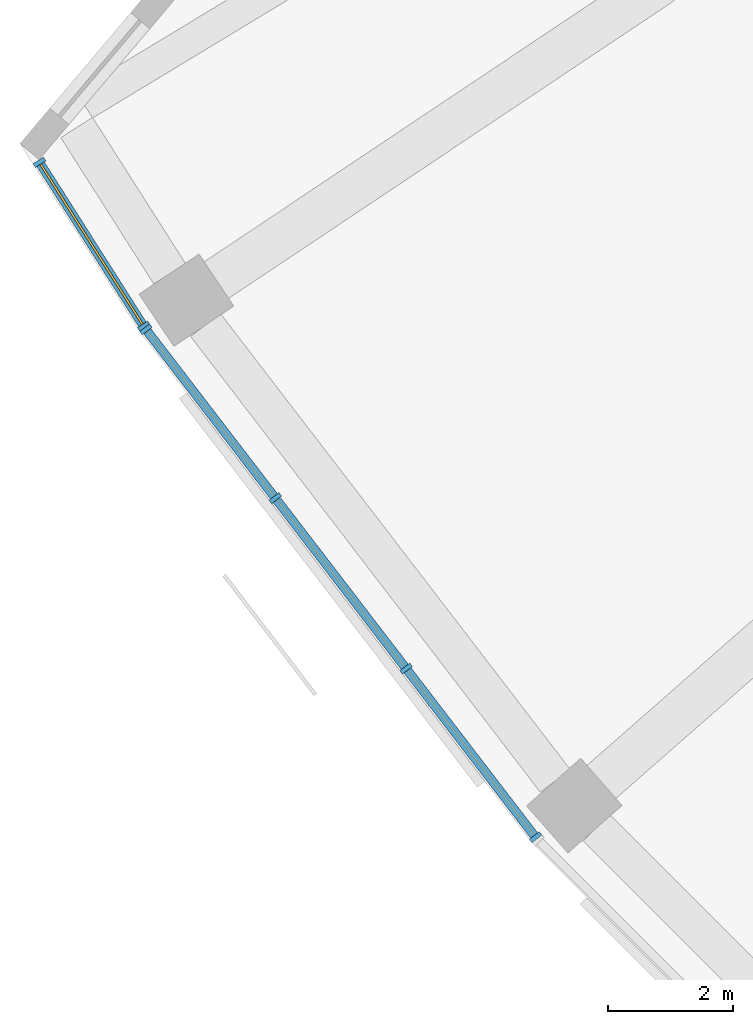
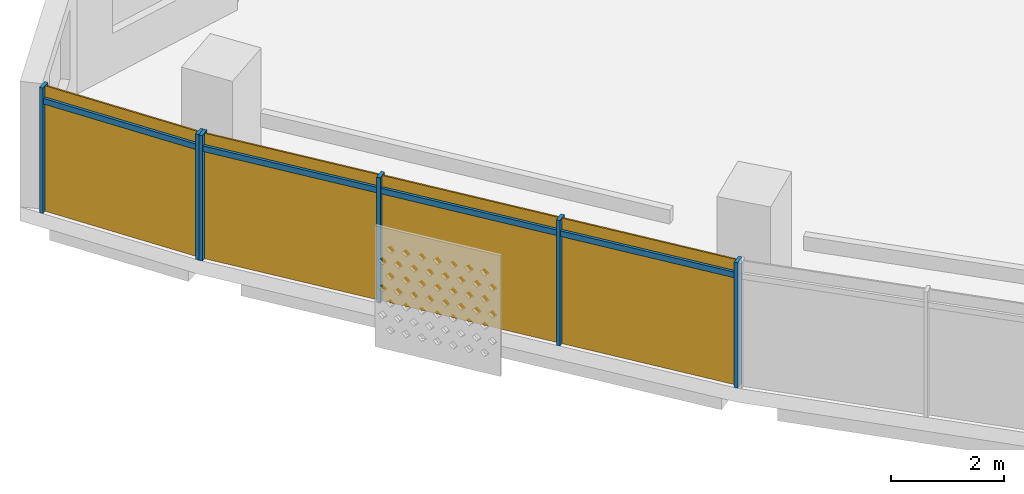
# One storey, part 19 of 28: 10 members, 2 curtain walls.
"""IFC4 building model written with IfcOpenShell, lengths in metres."""

import ifcopenshell
import ifcopenshell.guid

model = None  # the IFC model being written
_history = None  # IfcOwnerHistory: only IFC2X3 demands one
_inside = {}  # id of a spatial element -> (the spatial element, [elements in it])
_under = {}  # id of a project, library or spatial element -> (it, [spatial elements below it])
_declared = {}  # id of a project -> (the project, [libraries it declares])
_typed = {}  # id of a type object -> (the type object, [elements of that type])
_made_of = {}  # id of a material, layer set ... -> (it, [elements and type objects made of it])


def new_model(schema):
    """Start an empty IFC model of exactly this schema.

    Asked for "IFC4X3", IfcOpenShell would pick the latest addendum, in which some entities
    have other attributes; the version numbers below select the first issue.
    IFC2X3 requires an IfcOwnerHistory on every rooted entity: one is made here for all.
    """
    global model, _history
    if schema == "IFC4X3":
        model = ifcopenshell.file(schema_version=(4, 3, 0, 0))
    else:
        model = ifcopenshell.file(schema=schema)
    _inside.clear()
    _under.clear()
    _declared.clear()
    _typed.clear()
    _made_of.clear()
    _history = None
    if model.schema == "IFC2X3":
        org = make("IfcOrganization", Name="unknown")
        user = make(
            "IfcPersonAndOrganization",
            ThePerson=make("IfcPerson", FamilyName="unknown"),
            TheOrganization=org,
        )
        app = make(
            "IfcApplication",
            ApplicationDeveloper=org,
            Version="unknown",
            ApplicationFullName="unknown",
            ApplicationIdentifier="unknown",
        )
        _history = make(
            "IfcOwnerHistory",
            OwningUser=user,
            OwningApplication=app,
            ChangeAction="ADDED",
            CreationDate=0,
        )
    return model


def make(cls, **values):
    """One entity of the class cls with the attributes given. An attribute that is None is left unset."""
    return model.create_entity(
        cls, **{name: value for name, value in values.items() if value is not None}
    )


def rooted(cls, **values):
    """An entity with a GlobalId (a new one), such as an element, a storey or a relation."""
    return make(cls, GlobalId=ifcopenshell.guid.new(), OwnerHistory=_history, **values)


def si_unit(unit_type, name, prefix=None):
    """IfcSIUnit, for example si_unit("LENGTHUNIT", "METRE", prefix="MILLI")."""
    return make("IfcSIUnit", UnitType=unit_type, Prefix=prefix, Name=name)


def assignment(units):
    """IfcUnitAssignment: the units of a project."""
    return None if units is None else make("IfcUnitAssignment", Units=units)


def point(xyz):
    """IfcCartesianPoint."""
    return None if xyz is None else make("IfcCartesianPoint", Coordinates=xyz)


def direction(xyz):
    """IfcDirection."""
    return None if xyz is None else make("IfcDirection", DirectionRatios=xyz)


def frame(location, z_axis=None, x_axis=None):
    """IfcAxis2Placement3D, a coordinate frame: its origin and axes. An axis left out is left unset."""
    return make(
        "IfcAxis2Placement3D",
        Location=point(location),
        Axis=direction(z_axis),
        RefDirection=direction(x_axis),
    )


def frame_2d(location, x_axis=None):
    """IfcAxis2Placement2D, a coordinate frame in the plane: its origin and x axis."""
    return make(
        "IfcAxis2Placement2D", Location=point(location), RefDirection=direction(x_axis)
    )


def origin():
    """The frame at (0, 0, 0) with its axes left unset."""
    return frame((0.0, 0.0, 0.0))


def origin_2d():
    """The frame at (0, 0) in the plane with its x axis left unset."""
    return frame_2d((0.0, 0.0))


def place(relative_to, where):
    """IfcLocalPlacement: puts the frame where relative to a parent placement (None: the world)."""
    return make(
        "IfcLocalPlacement", PlacementRelTo=relative_to, RelativePlacement=where
    )


def context(
    kind, dimensions, precision=None, world=None, true_north=None, identifier=None
):
    """IfcGeometricRepresentationContext, for example the 3D "Model" context."""
    return make(
        "IfcGeometricRepresentationContext",
        ContextIdentifier=identifier,
        ContextType=kind,
        CoordinateSpaceDimension=dimensions,
        Precision=precision,
        WorldCoordinateSystem=world,
        TrueNorth=true_north,
    )


def subcontext(parent, identifier, kind, view, scale=None):
    """IfcGeometricRepresentationSubContext, for example "Body" below "Model"."""
    return make(
        "IfcGeometricRepresentationSubContext",
        ContextIdentifier=identifier,
        ContextType=kind,
        ParentContext=parent,
        TargetScale=scale,
        TargetView=view,
    )


def project(units=None, contexts=None):
    """IfcProject with its units and contexts."""
    return rooted(
        "IfcProject",
        Name="project",
        RepresentationContexts=contexts,
        UnitsInContext=assignment(units),
    )


def spatial(cls, under=None, at=None, **own):
    """A site, building, storey or space (cls), placed at a placement, below another one or the project."""
    s = rooted(cls, ObjectPlacement=at, **own)
    if under is not None:
        _under.setdefault(under.id(), (under, []))[1].append(s)
    return s


def profile(cls, at=None, kind="AREA", **sizes):
    """A parametric profile (cls). Its sizes go by their IFC names, for example OverallWidth=200.0."""
    return make(cls, ProfileType=kind, Position=at, **sizes)


def rectangle(**sizes):
    """IfcRectangleProfileDef."""
    return profile("IfcRectangleProfileDef", **sizes)


def extrude(swept, where, along, depth):
    """IfcExtrudedAreaSolid: the profile swept, set in the frame where, extruded along a direction by depth."""
    return make(
        "IfcExtrudedAreaSolid",
        SweptArea=swept,
        Position=where,
        ExtrudedDirection=direction(along),
        Depth=depth,
    )


def shape(context_of_items, identifier, shape_type, items):
    """IfcShapeRepresentation: the items that make up one representation, for example the "Body"."""
    return make(
        "IfcShapeRepresentation",
        ContextOfItems=context_of_items,
        RepresentationIdentifier=identifier,
        RepresentationType=shape_type,
        Items=items,
    )


def material(Name=None, Category=None):
    """IfcMaterial."""
    return make("IfcMaterial", Name=Name, Category=Category)


def material_profile(
    of_material, cross_section, Name=None, Category=None, Priority=None
):
    """IfcMaterialProfile: a cross section and its material."""
    return make(
        "IfcMaterialProfile",
        Name=Name,
        Material=of_material,
        Profile=cross_section,
        Priority=Priority,
        Category=Category,
    )


def profile_set(profiles, Name=None, composite=None):
    """IfcMaterialProfileSet."""
    return make(
        "IfcMaterialProfileSet",
        Name=Name,
        MaterialProfiles=profiles,
        CompositeProfile=composite,
    )


def made_of(thing, what):
    """Note that an element or type object is made of a material, layer set ...; save() writes the relation."""
    if what is not None:
        _made_of.setdefault(what.id(), (what, []))[1].append(thing)
    return thing


def type_object(cls, material=None, **own):
    """A type object (cls), such as IfcWallType, which elements share."""
    return made_of(rooted(cls, **own), material)


def element(
    cls,
    number,
    at=None,
    inside=None,
    cuts=None,
    type_object=None,
    material=None,
    context=None,
    identifier="Body",
    shape_type=None,
    held_by="IfcProductDefinitionShape",
    body=None,
    shapes=None,
    **own,
):
    """One element of the class cls, such as IfcWall. Its Tag is "e" and its number.

    at: its placement. inside: the storey or other place that contains it. cuts: it is an
    opening in that element (IfcRelVoidsElement). A single representation is given by context,
    identifier, shape_type and body (its items); several are given by shapes. held_by: the class
    of the entity that holds the representations. save() writes the other relations.
    """
    e = rooted(cls, Tag="e%d" % number, ObjectPlacement=at, **own)
    if body is not None:
        shapes = [shape(context, identifier, shape_type, body)]
    if shapes is not None:
        e.Representation = make(held_by, Representations=shapes)
    if inside is not None:
        _inside.setdefault(inside.id(), (inside, []))[1].append(e)
    if cuts is not None:
        rooted(
            "IfcRelVoidsElement", RelatingBuildingElement=cuts, RelatedOpeningElement=e
        )
    if type_object is not None:
        _typed.setdefault(type_object.id(), (type_object, []))[1].append(e)
    return made_of(e, material)


def aggregate(whole, parts):
    """IfcRelAggregates: a whole, such as a stair, and the parts it consists of."""
    return rooted("IfcRelAggregates", RelatingObject=whole, RelatedObjects=parts)


def save(model, path):
    """Write the relations noted so far, then the file.

    IfcRelAggregates (storeys below a building ...), IfcRelContainedInSpatialStructure (elements
    in a storey), IfcRelDefinesByType, IfcRelAssociatesMaterial and IfcRelDeclares: one each for
    every whole, place, type object, material and project.
    """
    for whole, parts in _under.values():
        aggregate(whole, parts)
    for where, things in _inside.values():
        rooted(
            "IfcRelContainedInSpatialStructure",
            RelatedElements=things,
            RelatingStructure=where,
        )
    for kind, things in _typed.values():
        rooted("IfcRelDefinesByType", RelatedObjects=things, RelatingType=kind)
    for what, things in _made_of.values():
        rooted("IfcRelAssociatesMaterial", RelatedObjects=things, RelatingMaterial=what)
    for by, libraries in _declared.values():
        rooted("IfcRelDeclares", RelatingContext=by, RelatedDefinitions=libraries)
    model.write(path)


model = new_model("IFC4")

# Units and contexts
model_context = context("Model", 3, precision=1e-05, world=origin(), true_north=direction((0.0, 1.0)))
body_context = subcontext(model_context, "Body", "Model", "MODEL_VIEW")
ifc_project = project(units=[si_unit("LENGTHUNIT", "METRE"), si_unit("AREAUNIT", "SQUARE_METRE"), si_unit("VOLUMEUNIT", "CUBIC_METRE"), si_unit("PLANEANGLEUNIT", "RADIAN"), si_unit("MASSUNIT", "GRAM", prefix="KILO")], contexts=[model_context])

# Member
ifc_material = material(Name="Aluminium 6063-T6 anodised", Category="aluminium")
ifc_material_profile_1 = material_profile(ifc_material, rectangle(XDim=0.199951171875, YDim=0.070068359375, at=origin_2d()))
ifc_profile_set_1 = profile_set([ifc_material_profile_1], Name="Aluminium 6063-T6 anodised")
member_type_1 = type_object("IfcMemberType", Name="Mullion 70 x 200 aluminium", PredefinedType="MULLION", material=ifc_profile_set_1)
site_placement = place(None, origin())
building_placement = place(site_placement, origin())
storey_placement = place(building_placement, frame((0.0, 0.0, 245.5)))
member_1_placement = place(storey_placement, frame((-66.9931640625, -40.996337890625, 0.0), z_axis=(0.0, 0.0, 1.0), x_axis=(0.84381442189, 0.536635091482, 0.0)))
member_1 = element("IfcMember", 1, at=member_1_placement, type_object=member_type_1, Name="e-cw1-L59-out00/M00", PredefinedType="MULLION", context=body_context, shape_type="SweptSolid", body=[
    extrude(rectangle(XDim=0.199951171875, YDim=0.070068359375, at=origin_2d()), origin(), (0.0, 0.0, 1.0), 2.699951171875),
])

member_2_placement = place(storey_placement, frame((-65.32958984375, -43.6123046875, 0.0), z_axis=(0.0, 0.0, 1.0), x_axis=(0.84381442189, 0.536635091482, 0.0)))
member_2 = element("IfcMember", 2, at=member_2_placement, type_object=member_type_1, Name="e-cw1-L59-out00/M01", PredefinedType="MULLION", context=body_context, shape_type="SweptSolid", body=[
    extrude(rectangle(XDim=0.199951171875, YDim=0.070068359375, at=origin_2d()), origin(), (0.0, 0.0, 1.0), 2.699951171875),
])

member_3_placement = place(storey_placement, frame((-65.29443359375, -43.66259765625, 0.0), z_axis=(0.0, 0.0, 1.0), x_axis=(0.793353340291, 0.608761429009, 0.0)))
member_3 = element("IfcMember", 3, at=member_3_placement, type_object=member_type_1, Name="e-cw1-L59-out01/M00", PredefinedType="MULLION", context=body_context, shape_type="SweptSolid", body=[
    extrude(rectangle(XDim=0.199951171875, YDim=0.070068359375, at=origin_2d()), origin(), (0.0, 0.0, 1.0), 2.699951171875),
])

member_4_placement = place(storey_placement, frame((-63.22802734375, -46.35546875, 0.0), z_axis=(0.0, 0.0, 1.0), x_axis=(0.793353340291, 0.608761429009, 0.0)))
member_4 = element("IfcMember", 4, at=member_4_placement, type_object=member_type_1, Name="e-cw1-L59-out01/M01", PredefinedType="MULLION", context=body_context, shape_type="SweptSolid", body=[
    extrude(rectangle(XDim=0.199951171875, YDim=0.070068359375, at=origin_2d()), origin(), (0.0, 0.0, 1.0), 2.699951171875),
])

member_5_placement = place(storey_placement, frame((-61.140380859375, -49.075927734375, 0.0), z_axis=(0.0, 0.0, 1.0), x_axis=(0.793353340291, 0.608761429009, 0.0)))
member_5 = element("IfcMember", 5, at=member_5_placement, type_object=member_type_1, Name="e-cw1-L59-out01/M02", PredefinedType="MULLION", context=body_context, shape_type="SweptSolid", body=[
    extrude(rectangle(XDim=0.199951171875, YDim=0.070068359375, at=origin_2d()), origin(), (0.0, 0.0, 1.0), 2.699951171875),
])

member_6_placement = place(storey_placement, frame((-59.07421875, -51.768798828125, 0.0), z_axis=(0.0, 0.0, 1.0), x_axis=(0.793353340291, 0.608761429009, 0.0)))
member_6 = element("IfcMember", 6, at=member_6_placement, type_object=member_type_1, Name="e-cw1-L59-out01/M03", PredefinedType="MULLION", context=body_context, shape_type="SweptSolid", body=[
    extrude(rectangle(XDim=0.199951171875, YDim=0.070068359375, at=origin_2d()), origin(), (0.0, 0.0, 1.0), 2.699951171875),
])

ifc_material_profile_2 = material_profile(ifc_material, rectangle(XDim=0.139892578125, YDim=0.1201171875, at=origin_2d()))
ifc_profile_set_2 = profile_set([ifc_material_profile_2], Name="Aluminium 6063-T6 anodised")
member_type_2 = type_object("IfcMemberType", Name="Transom 120 x 140 aluminium", PredefinedType="USERDEFINED", material=ifc_profile_set_2)
member_7_placement = place(storey_placement, frame((-66.974365234375, -41.02587890625, 2.39990234375), z_axis=(0.536609577902, -0.843830647052, 0.0), x_axis=(0.843830647052, 0.536609577902, 0.0)))
member_7 = element("IfcMember", 7, at=member_7_placement, type_object=member_type_2, Name="e-cw1-L59-out00/T00", ObjectType="TRANSOM", PredefinedType="USERDEFINED", context=body_context, shape_type="SweptSolid", body=[
    extrude(rectangle(XDim=0.139892578125, YDim=0.1201171875, at=origin_2d()), origin(), (0.0, 0.0, 1.0), 3.030029296875),
])

member_8_placement = place(storey_placement, frame((-65.273193359375, -43.690185546875, 2.39990234375), z_axis=(0.608741393132, -0.793368713958, 0.0), x_axis=(0.793368713958, 0.608741393132, 0.0)))
member_8 = element("IfcMember", 8, at=member_8_placement, type_object=member_type_2, Name="e-cw1-L59-out01/T00", ObjectType="TRANSOM", PredefinedType="USERDEFINED", context=body_context, shape_type="SweptSolid", body=[
    extrude(rectangle(XDim=0.139892578125, YDim=0.1201171875, at=origin_2d()), origin(), (0.0, 0.0, 1.0), 3.324462890625),
])

member_9_placement = place(storey_placement, frame((-63.206787109375, -46.383056640625, 2.39990234375), z_axis=(0.608719861247, -0.793385234627, 0.0), x_axis=(0.793385234627, 0.608719861247, 0.0)))
member_9 = element("IfcMember", 9, at=member_9_placement, type_object=member_type_2, Name="e-cw1-L59-out01/T01", ObjectType="TRANSOM", PredefinedType="USERDEFINED", context=body_context, shape_type="SweptSolid", body=[
    extrude(rectangle(XDim=0.139892578125, YDim=0.1201171875, at=origin_2d()), origin(), (0.0, 0.0, 1.0), 3.359375),
])

member_10_placement = place(storey_placement, frame((-61.119140625, -49.103759765625, 2.39990234375), z_axis=(0.608741393132, -0.793368713958, 0.0), x_axis=(0.793368713958, 0.608741393132, 0.0)))
member_10 = element("IfcMember", 10, at=member_10_placement, type_object=member_type_2, Name="e-cw1-L59-out01/T02", ObjectType="TRANSOM", PredefinedType="USERDEFINED", context=body_context, shape_type="SweptSolid", body=[
    extrude(rectangle(XDim=0.139892578125, YDim=0.1201171875, at=origin_2d()), origin(), (0.0, 0.0, 1.0), 3.324462890625),
])

# Site, building, storey
site = spatial("IfcSite", under=ifc_project, at=site_placement, CompositionType="ELEMENT")
building = spatial("IfcBuilding", under=site, at=building_placement, Name="Qamariyya Broadcast Tower", CompositionType="ELEMENT")
storey = spatial("IfcBuildingStorey", under=building, at=storey_placement, Name="L59", CompositionType="ELEMENT", Elevation=245.5)

# Curtain wall
curtain_wall_type = type_object("IfcCurtainWallType", Name="Unitised curtain wall, anodised aluminium", PredefinedType="NOTDEFINED", material=ifc_material)
curtain_wall_1_placement = place(storey_placement, origin())
curtain_wall_1 = element("IfcCurtainWall", 11, at=curtain_wall_1_placement, inside=storey, type_object=curtain_wall_type, Name="e-cw1-L59-out00", PredefinedType="NOTDEFINED", context=body_context, shape_type="SweptSolid", body=[
    extrude(rectangle(XDim=3.0302734375, YDim=0.031982421875, at=origin_2d()), frame((-66.161376953125, -42.30419921875, 0.0), x_axis=(0.536621327424, -0.84382317517, 0.0)), (0.0, 0.0, 1.0), 2.340087890625),
    extrude(rectangle(XDim=3.0302734375, YDim=0.031982421875, at=origin_2d()), frame((-66.161376953125, -42.30419921875, 2.4599609375), x_axis=(0.536621327424, -0.84382317517, 0.0)), (0.0, 0.0, 1.0), 0.239990234375),
])

aggregate(curtain_wall_1, [member_1, member_2, member_7])

curtain_wall_2_placement = place(storey_placement, origin())
curtain_wall_2 = element("IfcCurtainWall", 12, at=curtain_wall_2_placement, inside=storey, type_object=curtain_wall_type, Name="e-cw1-L59-out01", PredefinedType="NOTDEFINED", context=body_context, shape_type="SweptSolid", body=[
    extrude(rectangle(XDim=3.32421875, YDim=0.031982421875, at=origin_2d()), frame((-64.26123046875, -45.009033203125, 0.0), x_axis=(0.608753833159, -0.793359168734, 0.0)), (0.0, 0.0, 1.0), 2.340087890625),
    extrude(rectangle(XDim=3.32421875, YDim=0.031982421875, at=origin_2d()), frame((-64.26123046875, -45.009033203125, 2.4599609375), x_axis=(0.608753833159, -0.793359168734, 0.0)), (0.0, 0.0, 1.0), 0.239990234375),
    extrude(rectangle(XDim=3.359130859375, YDim=0.031982421875, at=origin_2d()), frame((-62.184326171875, -47.7158203125, 0.0), x_axis=(0.608753833159, -0.793359168734, 0.0)), (0.0, 0.0, 1.0), 2.340087890625),
    extrude(rectangle(XDim=3.359130859375, YDim=0.031982421875, at=origin_2d()), frame((-62.184326171875, -47.7158203125, 2.4599609375), x_axis=(0.608753833159, -0.793359168734, 0.0)), (0.0, 0.0, 1.0), 0.239990234375),
    extrude(rectangle(XDim=3.32421875, YDim=0.031982421875, at=origin_2d()), frame((-60.107421875, -50.42236328125, 0.0), x_axis=(0.608753833159, -0.793359168734, 0.0)), (0.0, 0.0, 1.0), 2.340087890625),
    extrude(rectangle(XDim=3.32421875, YDim=0.031982421875, at=origin_2d()), frame((-60.107421875, -50.42236328125, 2.4599609375), x_axis=(0.608753833159, -0.793359168734, 0.0)), (0.0, 0.0, 1.0), 0.239990234375),
])

aggregate(curtain_wall_2, [member_3, member_4, member_5, member_6, member_8, member_9, member_10])

save(model, "model.ifc")
